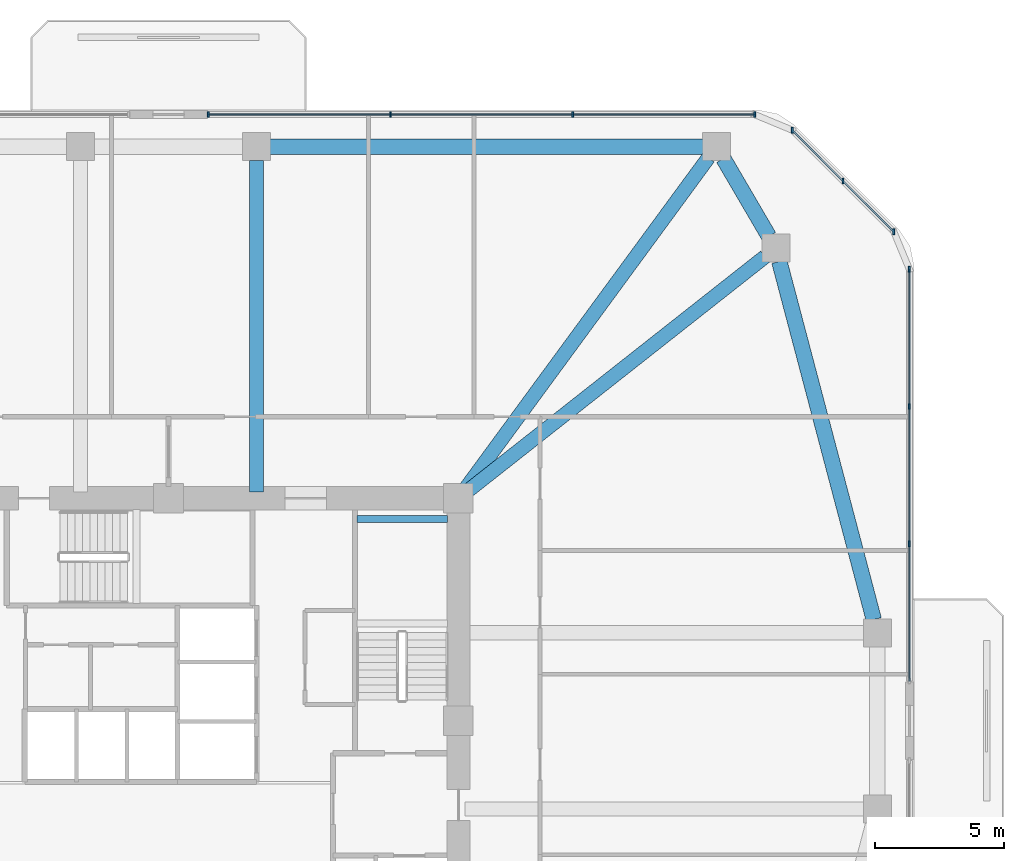
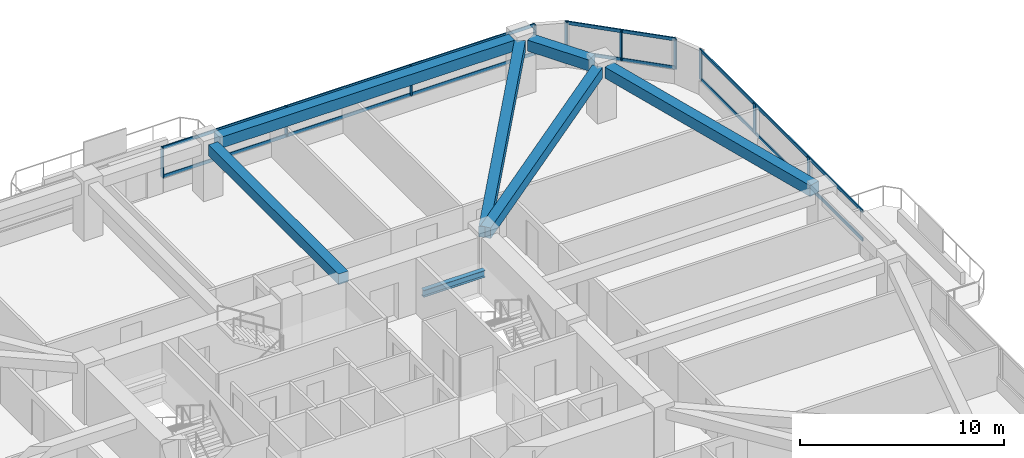
# One storey, part 7 of 14: 16 members, 7 beams, 3 elements without a shape of their own.
"""IFC4 building model written with IfcOpenShell, lengths in metres."""

from ifc_helpers import new_model, si_unit, derived_unit, direction, frame, origin, origin_2d, place, context, subcontext, project, spatial, rectangle, i_section, extrude, material, material_profile, profile_set, type_object, element, aggregate, save


model = new_model("IFC4")

# Units and contexts
model_context = context("Model", 3, precision=1e-05, world=origin(), true_north=direction((0.0, 1.0)))
body_context = subcontext(model_context, "Body", "Model", "MODEL_VIEW")
ifc_project = project(units=[si_unit("LENGTHUNIT", "METRE"), si_unit("AREAUNIT", "SQUARE_METRE"), si_unit("VOLUMEUNIT", "CUBIC_METRE"), si_unit("PLANEANGLEUNIT", "RADIAN"), si_unit("MASSUNIT", "GRAM", prefix="KILO"), derived_unit("THERMALTRANSMITTANCEUNIT", [(si_unit("POWERUNIT", "WATT"), 1), (si_unit("LENGTHUNIT", "METRE"), -2), (si_unit("THERMODYNAMICTEMPERATUREUNIT", "KELVIN"), -1)])], contexts=[model_context])

# Site, building, storey
site_placement = place(None, origin())
site = spatial("IfcSite", under=ifc_project, at=site_placement, CompositionType="ELEMENT")
building_placement = place(site_placement, origin())
building = spatial("IfcBuilding", under=site, at=building_placement, Name="Koralith Skygarden Medical Center", CompositionType="ELEMENT")
storey_placement = place(building_placement, frame((0.0, 0.0, 31.139892578125)))
storey = spatial("IfcBuildingStorey", under=building, at=storey_placement, Name="L07", CompositionType="ELEMENT", Elevation=31.139892578125)

# Curtain wall, members
ifc_material_1 = material(Name="Clear Laminated Glass", Category="glass")
curtain_wall_type = type_object("IfcCurtainWallType", Name="CW-2 Zone 1 Hurricane Unitised Curtain Wall", PredefinedType="NOTDEFINED", material=ifc_material_1)
curtain_wall_1_placement = place(storey_placement, origin())
curtain_wall_1 = element("IfcCurtainWall", 1, at=curtain_wall_1_placement, inside=storey, type_object=curtain_wall_type, Name="Curtain Wall CW-L07-E-R", PredefinedType="NOTDEFINED")
ifc_material_2 = material(Name="Aluminium 6063-T6", Category="aluminium")
ifc_material_profile_1 = material_profile(ifc_material_2, rectangle(XDim=0.071044921875, YDim=0.219970703125, at=origin_2d()), Name="MUL71X220")
ifc_profile_set_1 = profile_set([ifc_material_profile_1], Name="Aluminium 6063-T6")
member_type_1 = type_object("IfcMemberType", Name="CW-2 Extruded Mullion 71x220", PredefinedType="MULLION", material=ifc_profile_set_1)
member_1_placement = place(storey_placement, frame((65.6201171875, 32.741943359375, 0.85009765625), z_axis=(0.0, 0.0, 1.0), x_axis=(1.0, 0.0, 0.0)))
member_1 = element("IfcMember", 2, at=member_1_placement, type_object=member_type_1, Name="CW-L07-E-R Mullion 2", PredefinedType="MULLION", context=body_context, shape_type="SweptSolid", body=[
    extrude(rectangle(XDim=0.071044921875, YDim=0.219970703125, at=origin_2d()), origin(), (0.0, 0.0, 1.0), 1.800048828125),
])
member_2_placement = place(storey_placement, frame((65.6201171875, 38.04296875, 0.85009765625), z_axis=(0.0, 0.0, 1.0), x_axis=(1.0, 0.0, 0.0)))
member_2 = element("IfcMember", 3, at=member_2_placement, type_object=member_type_1, Name="CW-L07-E-R Mullion 3", PredefinedType="MULLION", context=body_context, shape_type="SweptSolid", body=[
    extrude(rectangle(XDim=0.071044921875, YDim=0.219970703125, at=origin_2d()), origin(), (0.0, 0.0, 1.0), 1.800048828125),
])
member_3_placement = place(storey_placement, frame((65.6201171875, 43.344970703125, 0.85009765625), z_axis=(0.0, 0.0, 1.0), x_axis=(1.0, 0.0, 0.0)))
member_3 = element("IfcMember", 4, at=member_3_placement, type_object=member_type_1, Name="CW-L07-E-R Mullion 4", PredefinedType="MULLION", context=body_context, shape_type="SweptSolid", body=[
    extrude(rectangle(XDim=0.071044921875, YDim=0.219970703125, at=origin_2d()), origin(), (0.0, 0.0, 1.0), 1.800048828125),
])

curtain_wall_2_placement = place(storey_placement, origin())
curtain_wall_2 = element("IfcCurtainWall", 5, at=curtain_wall_2_placement, inside=storey, type_object=curtain_wall_type, Name="Curtain Wall CW-L07-NE", PredefinedType="NOTDEFINED")
member_4_placement = place(storey_placement, frame((65.01904296875, 44.7958984375, 0.85009765625), z_axis=(0.0, 0.0, 1.0), x_axis=(1.0, 0.0, 0.0)))
member_4 = element("IfcMember", 6, at=member_4_placement, type_object=member_type_1, Name="CW-L07-NE Mullion 1", PredefinedType="MULLION", context=body_context, shape_type="SweptSolid", body=[
    extrude(rectangle(XDim=0.071044921875, YDim=0.219970703125, at=origin_2d()), origin(), (0.0, 0.0, 1.0), 1.800048828125),
])
member_5_placement = place(storey_placement, frame((63.05810546875, 46.758056640625, 0.85009765625), z_axis=(0.0, 0.0, 1.0), x_axis=(1.0, 0.0, 0.0)))
member_5 = element("IfcMember", 7, at=member_5_placement, type_object=member_type_1, Name="CW-L07-NE Mullion 2", PredefinedType="MULLION", context=body_context, shape_type="SweptSolid", body=[
    extrude(rectangle(XDim=0.071044921875, YDim=0.219970703125, at=origin_2d()), origin(), (0.0, 0.0, 1.0), 1.800048828125),
])
member_6_placement = place(storey_placement, frame((61.095947265625, 48.718994140625, 0.85009765625), z_axis=(0.0, 0.0, 1.0), x_axis=(1.0, 0.0, 0.0)))
member_6 = element("IfcMember", 8, at=member_6_placement, type_object=member_type_1, Name="CW-L07-NE Mullion 3", PredefinedType="MULLION", context=body_context, shape_type="SweptSolid", body=[
    extrude(rectangle(XDim=0.071044921875, YDim=0.219970703125, at=origin_2d()), origin(), (0.0, 0.0, 1.0), 1.800048828125),
])

curtain_wall_3_placement = place(storey_placement, origin())
curtain_wall_3 = element("IfcCurtainWall", 9, at=curtain_wall_3_placement, inside=storey, type_object=curtain_wall_type, Name="Curtain Wall CW-L07-N-L", PredefinedType="NOTDEFINED")
member_7_placement = place(storey_placement, frame((59.64501953125, 49.320068359375, 0.85009765625), z_axis=(0.0, 0.0, 1.0), x_axis=(1.0, 0.0, 0.0)))
member_7 = element("IfcMember", 10, at=member_7_placement, type_object=member_type_1, Name="CW-L07-N-L Mullion 1", PredefinedType="MULLION", context=body_context, shape_type="SweptSolid", body=[
    extrude(rectangle(XDim=0.071044921875, YDim=0.219970703125, at=origin_2d()), origin(), (0.0, 0.0, 1.0), 1.800048828125),
])
member_8_placement = place(storey_placement, frame((52.610107421875, 49.320068359375, 0.85009765625), z_axis=(0.0, 0.0, 1.0), x_axis=(1.0, 0.0, 0.0)))
member_8 = element("IfcMember", 11, at=member_8_placement, type_object=member_type_1, Name="CW-L07-N-L Mullion 2", PredefinedType="MULLION", context=body_context, shape_type="SweptSolid", body=[
    extrude(rectangle(XDim=0.071044921875, YDim=0.219970703125, at=origin_2d()), origin(), (0.0, 0.0, 1.0), 1.800048828125),
])
member_9_placement = place(storey_placement, frame((45.574951171875, 49.320068359375, 0.85009765625), z_axis=(0.0, 0.0, 1.0), x_axis=(1.0, 0.0, 0.0)))
member_9 = element("IfcMember", 12, at=member_9_placement, type_object=member_type_1, Name="CW-L07-N-L Mullion 3", PredefinedType="MULLION", context=body_context, shape_type="SweptSolid", body=[
    extrude(rectangle(XDim=0.071044921875, YDim=0.219970703125, at=origin_2d()), origin(), (0.0, 0.0, 1.0), 1.800048828125),
])
member_10_placement = place(storey_placement, frame((38.5400390625, 49.320068359375, 0.85009765625), z_axis=(0.0, 0.0, 1.0), x_axis=(1.0, 0.0, 0.0)))
member_10 = element("IfcMember", 13, at=member_10_placement, type_object=member_type_1, Name="CW-L07-N-L Mullion 4", PredefinedType="MULLION", context=body_context, shape_type="SweptSolid", body=[
    extrude(rectangle(XDim=0.071044921875, YDim=0.219970703125, at=origin_2d()), origin(), (0.0, 0.0, 1.0), 1.800048828125),
])

# Member
ifc_material_profile_2 = material_profile(ifc_material_2, rectangle(XDim=0.06591796875, YDim=0.197998046875, at=origin_2d()), Name="TRN66X198")
ifc_profile_set_2 = profile_set([ifc_material_profile_2], Name="Aluminium 6063-T6")
member_type_2 = type_object("IfcMemberType", Name="CW-2 Thermal Transom 66x198", PredefinedType="USERDEFINED", material=ifc_profile_set_2)
member_11_placement = place(storey_placement, frame((65.6201171875, 27.43994140625, 0.900146484375), z_axis=(0.0, 1.0, 0.0), x_axis=(-1.0, 0.0, 0.0)))
member_11 = element("IfcMember", 14, at=member_11_placement, type_object=member_type_2, Name="CW-L07-E-R Transom 1", ObjectType="TRANSOM", PredefinedType="USERDEFINED", context=body_context, shape_type="SweptSolid", body=[
    extrude(rectangle(XDim=0.06591796875, YDim=0.197998046875, at=origin_2d()), origin(), (0.0, 0.0, 1.0), 15.905029296875),
])

member_12_placement = place(storey_placement, frame((65.6201171875, 27.43994140625, 2.60009765625), z_axis=(0.0, 1.0, 0.0), x_axis=(-1.0, 0.0, 0.0)))
member_12 = element("IfcMember", 15, at=member_12_placement, type_object=member_type_2, Name="CW-L07-E-R Transom 2", ObjectType="TRANSOM", PredefinedType="USERDEFINED", context=body_context, shape_type="SweptSolid", body=[
    extrude(rectangle(XDim=0.06591796875, YDim=0.197998046875, at=origin_2d()), origin(), (0.0, 0.0, 1.0), 15.905029296875),
])

aggregate(curtain_wall_1, [member_1, member_2, member_3, member_11, member_12])

member_13_placement = place(storey_placement, frame((65.01904296875, 44.7958984375, 0.900146484375), z_axis=(-0.707106781187, 0.707106781187, 0.0), x_axis=(-0.707106781187, -0.707106781187, 0.0)))
member_13 = element("IfcMember", 16, at=member_13_placement, type_object=member_type_2, Name="CW-L07-NE Transom 1", ObjectType="TRANSOM", PredefinedType="USERDEFINED", context=body_context, shape_type="SweptSolid", body=[
    extrude(rectangle(XDim=0.06591796875, YDim=0.197998046875, at=origin_2d()), origin(), (0.0, 0.0, 1.0), 5.548095703125),
])

member_14_placement = place(storey_placement, frame((65.01904296875, 44.7958984375, 2.60009765625), z_axis=(-0.707106781187, 0.707106781187, 0.0), x_axis=(-0.707106781187, -0.707106781187, 0.0)))
member_14 = element("IfcMember", 17, at=member_14_placement, type_object=member_type_2, Name="CW-L07-NE Transom 2", ObjectType="TRANSOM", PredefinedType="USERDEFINED", context=body_context, shape_type="SweptSolid", body=[
    extrude(rectangle(XDim=0.06591796875, YDim=0.197998046875, at=origin_2d()), origin(), (0.0, 0.0, 1.0), 5.548095703125),
])

aggregate(curtain_wall_2, [member_4, member_5, member_6, member_13, member_14])

member_15_placement = place(storey_placement, frame((59.64501953125, 49.320068359375, 0.900146484375), z_axis=(-1.0, 0.0, 0.0), x_axis=(0.0, -1.0, 0.0)))
member_15 = element("IfcMember", 18, at=member_15_placement, type_object=member_type_2, Name="CW-L07-N-L Transom 1", ObjectType="TRANSOM", PredefinedType="USERDEFINED", context=body_context, shape_type="SweptSolid", body=[
    extrude(rectangle(XDim=0.06591796875, YDim=0.197998046875, at=origin_2d()), origin(), (0.0, 0.0, 1.0), 21.10498046875),
])

member_16_placement = place(storey_placement, frame((59.64501953125, 49.320068359375, 2.60009765625), z_axis=(-1.0, 0.0, 0.0), x_axis=(0.0, -1.0, 0.0)))
member_16 = element("IfcMember", 19, at=member_16_placement, type_object=member_type_2, Name="CW-L07-N-L Transom 2", ObjectType="TRANSOM", PredefinedType="USERDEFINED", context=body_context, shape_type="SweptSolid", body=[
    extrude(rectangle(XDim=0.06591796875, YDim=0.197998046875, at=origin_2d()), origin(), (0.0, 0.0, 1.0), 21.10498046875),
])

aggregate(curtain_wall_3, [member_7, member_8, member_9, member_10, member_15, member_16])

# Beams
ifc_material_3 = material(Name="Steel ASTM A992 Grade 50", Category="steel")
ifc_material_profile_3 = material_profile(ifc_material_3, i_section(OverallWidth=0.260009765625, OverallDepth=0.4150390625, WebThickness=0.010009765625, FlangeThickness=0.016845703125, at=origin_2d()), Name="W16X67")
ifc_profile_set_3 = profile_set([ifc_material_profile_3], Name="Steel ASTM A992 Grade 50")
beam_type_1 = type_object("IfcBeamType", Name="Clinical Floor Joist W16X67", PredefinedType="JOIST", material=ifc_profile_set_3)
beam_1_placement = place(storey_placement, frame((44.280029296875, 33.699951171875, 1.39208984375), z_axis=(1.0, 0.0, 0.0), x_axis=(0.0, 1.0, 0.0)))
element("IfcBeam", 20, at=beam_1_placement, inside=storey, type_object=beam_type_1, Name="L07 Stair ST2 Half-Landing Support Beam 1B", PredefinedType="JOIST", context=body_context, shape_type="SweptSolid", body=[
    extrude(i_section(OverallWidth=0.260009765625, OverallDepth=0.4150390625, WebThickness=0.010009765625, FlangeThickness=0.016845703125, at=origin_2d()), origin(), (0.0, 0.0, 1.0), 3.489990234375),
])
ifc_material_4 = material(Name="Concrete C45/55", Category="concrete")
ifc_material_profile_4 = material_profile(ifc_material_4, rectangle(XDim=0.550048828125, YDim=0.639892578125, at=origin_2d()), Name="RCB550X640")
ifc_profile_set_4 = profile_set([ifc_material_profile_4], Name="Concrete C45/55")
beam_type_2 = type_object("IfcBeamType", Name="Radial Collector Beam RCB550X640", PredefinedType="BEAM", material=ifc_profile_set_4)
beam_2_placement = place(storey_placement, frame((48.39599609375, 34.655029296875, 3.0), z_axis=(0.785497250365, 0.618865146594, 0.0), x_axis=(-0.618865146594, 0.785497250365, 0.0)))
element("IfcBeam", 21, at=beam_2_placement, inside=storey, type_object=beam_type_2, Name="L07 Radial Collector Beam RB-10", PredefinedType="BEAM", context=body_context, shape_type="SweptSolid", body=[
    extrude(rectangle(XDim=0.550048828125, YDim=0.639892578125, at=origin_2d()), origin(), (0.0, 0.0, 1.0), 14.828857421875),
])
beam_3_placement = place(storey_placement, frame((48.347900390625, 34.701904296875, 3.0), z_axis=(0.591710803277, 0.806150311843, 0.0), x_axis=(-0.806150311843, 0.591710803277, 0.0)))
element("IfcBeam", 22, at=beam_3_placement, inside=storey, type_object=beam_type_2, Name="L07 Radial Collector Beam RB-11", PredefinedType="BEAM", context=body_context, shape_type="SweptSolid", body=[
    extrude(rectangle(XDim=0.550048828125, YDim=0.639892578125, at=origin_2d()), origin(), (0.0, 0.0, 1.0), 16.0654296875),
])
beam_4_placement = place(storey_placement, frame((40.39990234375, 34.75, 3.0), z_axis=(0.0, 1.0, 0.0), x_axis=(-1.0, 0.0, 0.0)))
element("IfcBeam", 23, at=beam_4_placement, inside=storey, type_object=beam_type_2, Name="L07 Radial Collector Beam RB-12", PredefinedType="BEAM", context=body_context, shape_type="SweptSolid", body=[
    extrude(rectangle(XDim=0.550048828125, YDim=0.639892578125, at=origin_2d()), origin(), (0.0, 0.0, 1.0), 12.800048828125),
])
ifc_material_profile_5 = material_profile(ifc_material_4, rectangle(XDim=0.60009765625, YDim=0.659912109375, at=origin_2d()), Name="RCB600X660")
ifc_profile_set_5 = profile_set([ifc_material_profile_5], Name="Concrete C45/55")
beam_type_3 = type_object("IfcBeamType", Name="Zone 1 Spandrel Beam RCB600X660", PredefinedType="SPANDREL", material=ifc_profile_set_5)
beam_5_placement = place(storey_placement, frame((64.2451171875, 29.81201171875, 2.989990234375), z_axis=(-0.255088684842, 0.966917660851, 0.0), x_axis=(-0.966917660851, -0.255088684842, 0.0)))
element("IfcBeam", 24, at=beam_5_placement, inside=storey, type_object=beam_type_3, Name="L07 Perimeter Spandrel Beam SP-09", PredefinedType="SPANDREL", context=body_context, shape_type="SweptSolid", body=[
    extrude(rectangle(XDim=0.60009765625, YDim=0.659912109375, at=origin_2d()), origin(), (0.0, 0.0, 1.0), 14.309326171875),
])
beam_6_placement = place(storey_placement, frame((60.19189453125, 44.617919921875, 2.989990234375), z_axis=(-0.504608092658, 0.863348523381, 0.0), x_axis=(-0.863348523381, -0.504608092658, 0.0)))
element("IfcBeam", 25, at=beam_6_placement, inside=storey, type_object=beam_type_3, Name="L07 Perimeter Spandrel Beam SP-10", PredefinedType="SPANDREL", context=body_context, shape_type="SweptSolid", body=[
    extrude(rectangle(XDim=0.60009765625, YDim=0.659912109375, at=origin_2d()), origin(), (0.0, 0.0, 1.0), 3.479736328125),
])
beam_7_placement = place(storey_placement, frame((57.637939453125, 48.080078125, 2.989990234375), z_axis=(-1.0, 0.0, 0.0), x_axis=(0.0, -1.0, 0.0)))
element("IfcBeam", 26, at=beam_7_placement, inside=storey, type_object=beam_type_3, Name="L07 Perimeter Spandrel Beam SP-11", PredefinedType="SPANDREL", context=body_context, shape_type="SweptSolid", body=[
    extrude(rectangle(XDim=0.60009765625, YDim=0.659912109375, at=origin_2d()), origin(), (0.0, 0.0, 1.0), 16.7080078125),
])

save(model, "model.ifc")
